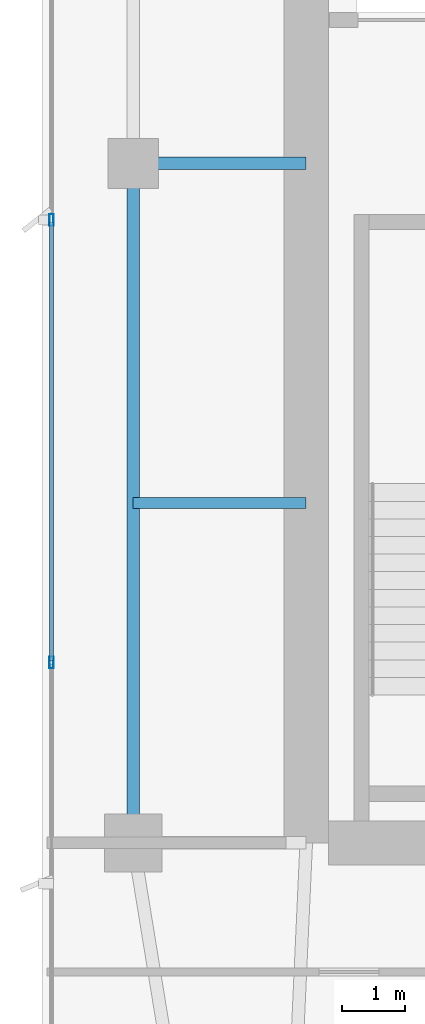
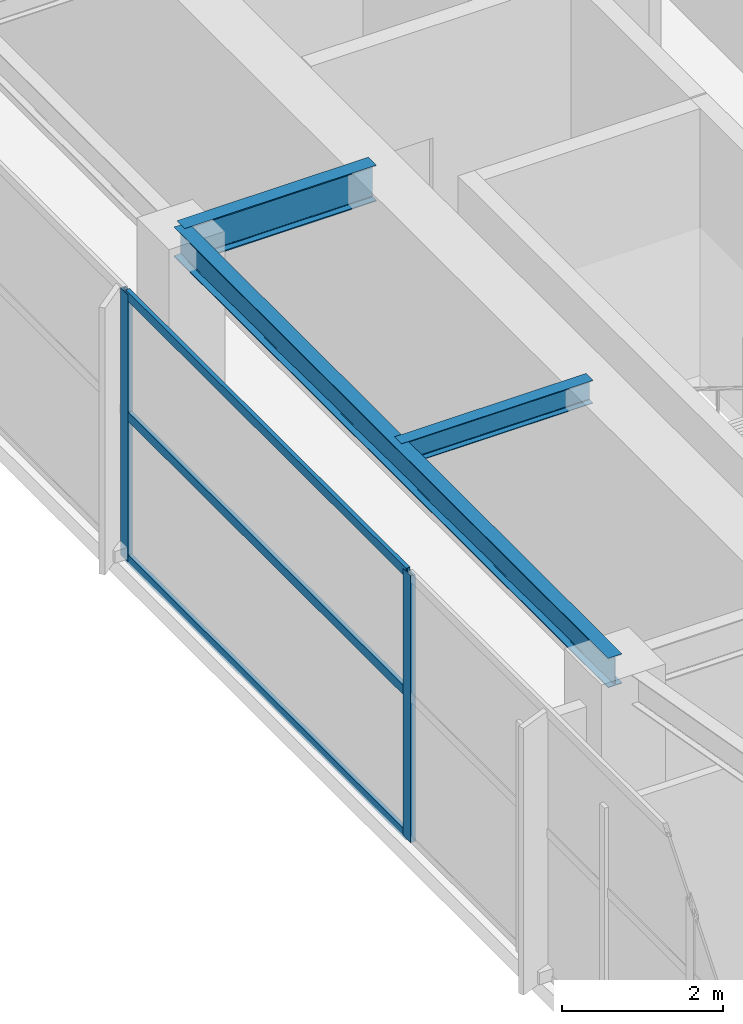
# One storey, part 8 of 27: 5 members, 3 beams, 1 element without a shape of its own.
"""IFC4 building model written with IfcOpenShell, lengths in metres."""

from ifc_helpers import new_model, si_unit, direction, frame, origin, origin_2d, place, context, subcontext, project, spatial, hollow_rectangle, i_section, extrude, material, layer, layer_set, material_profile, profile_set, type_object, element, aggregate, save


model = new_model("IFC4")

# Units and contexts
model_context = context("Model", 3, precision=1e-05, world=origin(), true_north=direction((0.0, 1.0)))
body_context = subcontext(model_context, "Body", "Model", "MODEL_VIEW")
ifc_project = project(units=[si_unit("LENGTHUNIT", "METRE"), si_unit("AREAUNIT", "SQUARE_METRE"), si_unit("VOLUMEUNIT", "CUBIC_METRE"), si_unit("PLANEANGLEUNIT", "RADIAN"), si_unit("MASSUNIT", "GRAM", prefix="KILO")], contexts=[model_context])

# Site, building, storey
site_placement = place(None, origin())
site = spatial("IfcSite", under=ifc_project, at=site_placement, CompositionType="ELEMENT")
building_placement = place(site_placement, origin())
building = spatial("IfcBuilding", under=site, at=building_placement, Name="Calvorn Quay Hotel", CompositionType="ELEMENT")
storey_placement = place(building_placement, frame((0.0, 0.0, 239.300048828125)))
storey = spatial("IfcBuildingStorey", under=building, at=storey_placement, Name="L59", CompositionType="ELEMENT", Elevation=239.300048828125)

# Beams
ifc_material_1 = material(Name="Steel Q355B", Category="steel")
ifc_material_profile_1 = material_profile(ifc_material_1, i_section(OverallWidth=0.199951171875, OverallDepth=0.550048828125, WebThickness=0.010009765625, FlangeThickness=0.01611328125, FilletRadius=0.01806640625, at=origin_2d()), Name="HN550x200x10x16")
ifc_profile_set_1 = profile_set([ifc_material_profile_1], Name="Steel Q355B")
beam_type_1 = type_object("IfcBeamType", Name="BM-GIRD-UPP", PredefinedType="BEAM", material=ifc_profile_set_1)
beam_1_placement = place(storey_placement, frame((1.449951171875, 27.60009765625, 3.77490234375), z_axis=(1.0, 0.0, 0.0), x_axis=(0.0, 1.0, 0.0)))
element("IfcBeam", 1, at=beam_1_placement, inside=storey, type_object=beam_type_1, Name="Beam BG-L59-W2", PredefinedType="BEAM", context=body_context, shape_type="SweptSolid", body=[
    extrude(i_section(OverallWidth=0.199951171875, OverallDepth=0.550048828125, WebThickness=0.010009765625, FlangeThickness=0.01611328125, FilletRadius=0.01806640625, at=origin_2d()), origin(), (0.0, 0.0, 1.0), 2.75),
])
ifc_material_2 = material(Name="Steel Q355B", Category="steel")
ifc_material_profile_2 = material_profile(ifc_material_2, i_section(OverallWidth=0.175048828125, OverallDepth=0.35009765625, WebThickness=0.007080078125, FlangeThickness=0.010986328125, FilletRadius=0.013916015625, at=origin_2d()), Name="HN350x175x7x11")
ifc_profile_set_2 = profile_set([ifc_material_profile_2], Name="Steel Q355B")
beam_type_2 = type_object("IfcBeamType", Name="BM-JOIST-SEC", PredefinedType="JOIST", material=ifc_profile_set_2)
beam_2_placement = place(storey_placement, frame((1.449951171875, 22.199951171875, 3.875), z_axis=(1.0, 0.0, 0.0), x_axis=(0.0, 1.0, 0.0)))
element("IfcBeam", 2, at=beam_2_placement, inside=storey, type_object=beam_type_2, Name="Beam BJ-L59-W3", PredefinedType="JOIST", context=body_context, shape_type="SweptSolid", body=[
    extrude(i_section(OverallWidth=0.175048828125, OverallDepth=0.35009765625, WebThickness=0.007080078125, FlangeThickness=0.010986328125, FilletRadius=0.013916015625, at=origin_2d()), origin(), (0.0, 0.0, 1.0), 2.75),
])
ifc_material_3 = material(Name="Steel Q355B", Category="steel")
ifc_material_profile_3 = material_profile(ifc_material_3, i_section(OverallWidth=0.199951171875, OverallDepth=0.449951171875, WebThickness=0.009033203125, FlangeThickness=0.013916015625, FilletRadius=0.01611328125, at=origin_2d()), Name="HN450x200x9x14")
ifc_profile_set_3 = profile_set([ifc_material_profile_3], Name="Steel Q355B")
beam_type_3 = type_object("IfcBeamType", Name="BM-SPANDREL-Z3", PredefinedType="SPANDREL", material=ifc_profile_set_3)
beam_3_placement = place(storey_placement, frame((1.449951171875, 16.800048828125, 3.824951171875), z_axis=(0.0, 1.0, 0.0), x_axis=(-1.0, 0.0, 0.0)))
element("IfcBeam", 3, at=beam_3_placement, inside=storey, type_object=beam_type_3, Name="Beam BSP-L59-W2", PredefinedType="SPANDREL", context=body_context, shape_type="SweptSolid", body=[
    extrude(i_section(OverallWidth=0.199951171875, OverallDepth=0.449951171875, WebThickness=0.009033203125, FlangeThickness=0.013916015625, FilletRadius=0.01611328125, at=origin_2d()), origin(), (0.0, 0.0, 1.0), 10.800048828125),
])

# Curtain wall, members
ifc_material_4 = material(Name="Champagne Bronze Anodised Aluminium and Low-E Glass", Category="aluminium")
ifc_layer = layer(ifc_material_4, 0.219970703125)
ifc_layer_set = layer_set([ifc_layer], Name="CW-SYS-Z3")
curtain_wall_type = type_object("IfcCurtainWallType", Name="CW-SYS-Z3", PredefinedType="NOTDEFINED", material=ifc_layer_set)
curtain_wall_placement = place(storey_placement, origin())
curtain_wall = element("IfcCurtainWall", 4, at=curtain_wall_placement, inside=storey, type_object=curtain_wall_type, Name="Tower West Curtain Wall (L59)", PredefinedType="NOTDEFINED")
ifc_material_5 = material(Name="Champagne Bronze Anodised Aluminium 6063-T6", Category="aluminium")
ifc_material_profile_4 = material_profile(ifc_material_5, hollow_rectangle(XDim=0.068115234375, YDim=0.18505859375, WallThickness=0.00390625, at=origin_2d()), Name="ALU-M185x68x4")
ifc_profile_set_4 = profile_set([ifc_material_profile_4], Name="Champagne Bronze Anodised Aluminium 6063-T6")
member_type_1 = type_object("IfcMemberType", Name="CW-SYS-Z3-MUL", PredefinedType="MULLION", material=ifc_profile_set_4)
member_1_placement = place(storey_placement, frame((0.14990234375, 19.666748046875, 0.0), z_axis=(0.0, 0.0, 1.0), x_axis=(-1.0, 0.0, 0.0)))
member_1 = element("IfcMember", 5, at=member_1_placement, type_object=member_type_1, Name="CW-L59-W mullion 3", PredefinedType="MULLION", context=body_context, shape_type="SweptSolid", body=[
    extrude(hollow_rectangle(XDim=0.068115234375, YDim=0.18505859375, WallThickness=0.00390625, at=origin_2d()), origin(), (0.0, 0.0, 1.0), 4.050048828125),
])
member_2_placement = place(storey_placement, frame((0.14990234375, 26.699951171875, 0.0), z_axis=(0.0, 0.0, 1.0), x_axis=(-1.0, 0.0, 0.0)))
member_2 = element("IfcMember", 6, at=member_2_placement, type_object=member_type_1, Name="CW-L59-W mullion 4", PredefinedType="MULLION", context=body_context, shape_type="SweptSolid", body=[
    extrude(hollow_rectangle(XDim=0.068115234375, YDim=0.18505859375, WallThickness=0.00390625, at=origin_2d()), origin(), (0.0, 0.0, 1.0), 4.050048828125),
])
ifc_material_6 = material(Name="Champagne Bronze Anodised Aluminium 6063-T6", Category="aluminium")
ifc_material_profile_5 = material_profile(ifc_material_6, hollow_rectangle(XDim=0.05810546875, YDim=0.139892578125, WallThickness=0.003173828125, at=origin_2d()), Name="ALU-T140x58x3.2")
ifc_profile_set_5 = profile_set([ifc_material_profile_5], Name="Champagne Bronze Anodised Aluminium 6063-T6")
member_type_2 = type_object("IfcMemberType", Name="CW-SYS-Z3-TRN", PredefinedType="USERDEFINED", material=ifc_profile_set_5)
member_3_placement = place(storey_placement, frame((0.14990234375, 19.69677734375, 0.030029296875), z_axis=(0.0, 1.0, 0.0), x_axis=(-1.0, 0.0, 0.0)))
member_3 = element("IfcMember", 7, at=member_3_placement, type_object=member_type_2, Name="CW-L59-W transom 3.1", ObjectType="TRANSOM", PredefinedType="USERDEFINED", context=body_context, shape_type="SweptSolid", body=[
    extrude(hollow_rectangle(XDim=0.05810546875, YDim=0.139892578125, WallThickness=0.003173828125, at=origin_2d()), origin(), (0.0, 0.0, 1.0), 6.97314453125),
])
member_4_placement = place(storey_placement, frame((0.14990234375, 19.69677734375, 2.199951171875), z_axis=(0.0, 1.0, 0.0), x_axis=(-1.0, 0.0, 0.0)))
member_4 = element("IfcMember", 8, at=member_4_placement, type_object=member_type_2, Name="CW-L59-W transom 3.2", ObjectType="TRANSOM", PredefinedType="USERDEFINED", context=body_context, shape_type="SweptSolid", body=[
    extrude(hollow_rectangle(XDim=0.05810546875, YDim=0.139892578125, WallThickness=0.003173828125, at=origin_2d()), origin(), (0.0, 0.0, 1.0), 6.97314453125),
])
member_5_placement = place(storey_placement, frame((0.14990234375, 19.69677734375, 4.02001953125), z_axis=(0.0, 1.0, 0.0), x_axis=(-1.0, 0.0, 0.0)))
member_5 = element("IfcMember", 9, at=member_5_placement, type_object=member_type_2, Name="CW-L59-W transom 3.3", ObjectType="TRANSOM", PredefinedType="USERDEFINED", context=body_context, shape_type="SweptSolid", body=[
    extrude(hollow_rectangle(XDim=0.05810546875, YDim=0.139892578125, WallThickness=0.003173828125, at=origin_2d()), origin(), (0.0, 0.0, 1.0), 6.97314453125),
])
aggregate(curtain_wall, [member_1, member_2, member_3, member_4, member_5])

save(model, "model.ifc")
